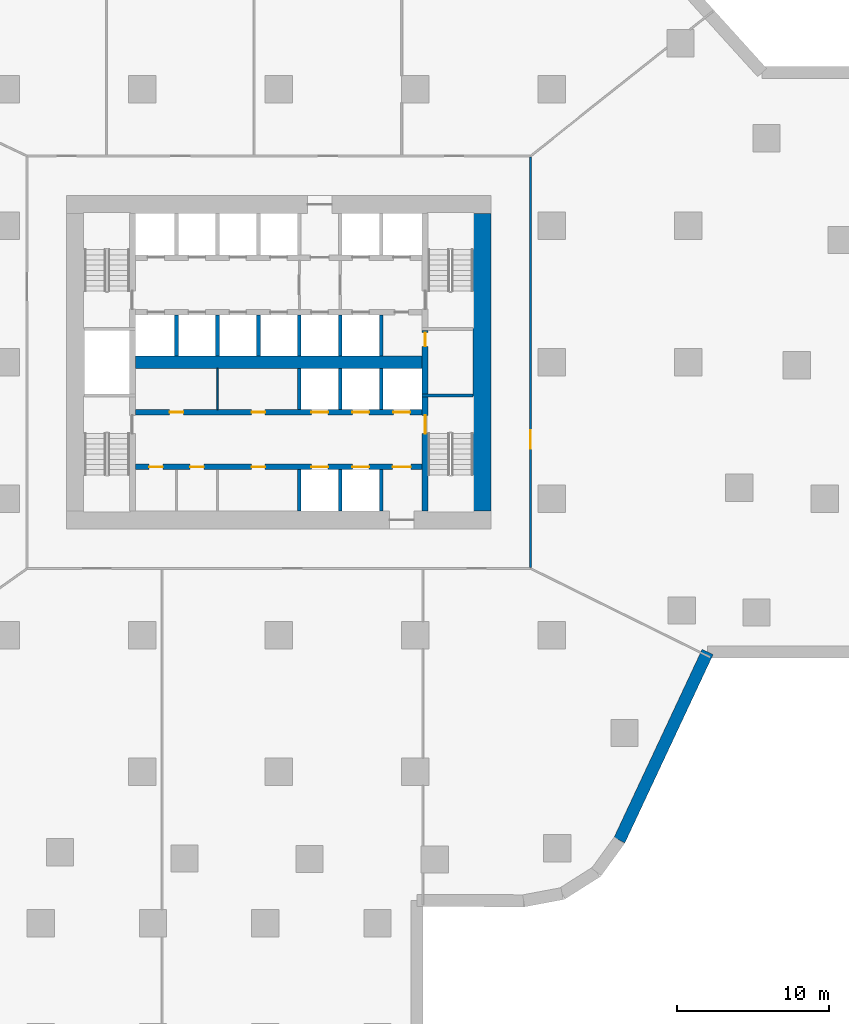
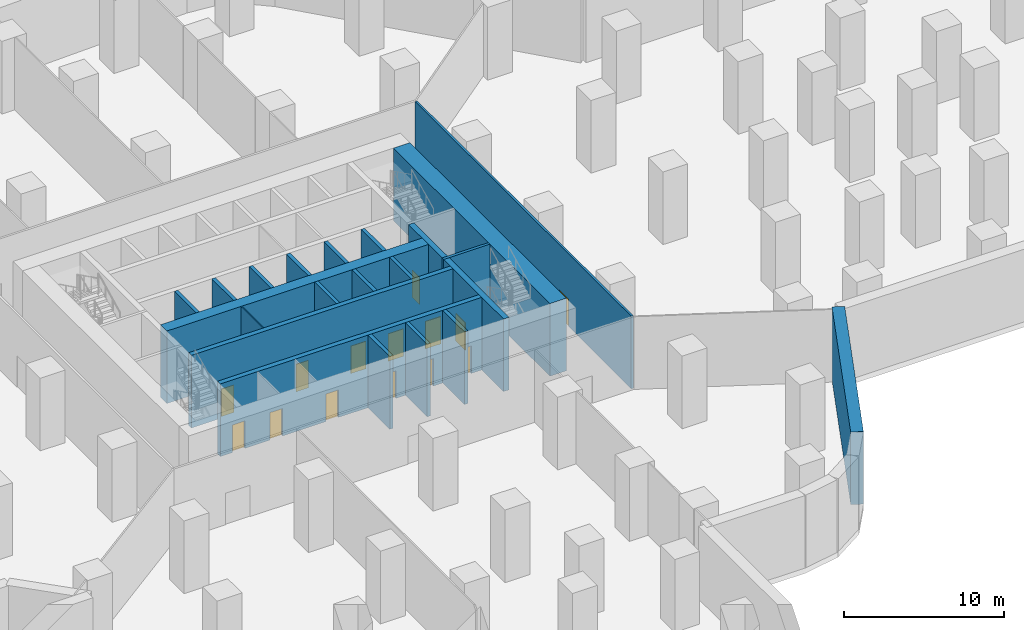
# One storey, part 5 of 11: 22 walls, 14 doors, 14 openings.
"""IFC4 building model written with IfcOpenShell, lengths in metres."""

import ifcopenshell
import ifcopenshell.guid

model = None  # the IFC model being written
_history = None  # IfcOwnerHistory: only IFC2X3 demands one
_inside = {}  # id of a spatial element -> (the spatial element, [elements in it])
_under = {}  # id of a project, library or spatial element -> (it, [spatial elements below it])
_declared = {}  # id of a project -> (the project, [libraries it declares])
_typed = {}  # id of a type object -> (the type object, [elements of that type])
_made_of = {}  # id of a material, layer set ... -> (it, [elements and type objects made of it])


def new_model(schema):
    """Start an empty IFC model of exactly this schema.

    Asked for "IFC4X3", IfcOpenShell would pick the latest addendum, in which some entities
    have other attributes; the version numbers below select the first issue.
    IFC2X3 requires an IfcOwnerHistory on every rooted entity: one is made here for all.
    """
    global model, _history
    if schema == "IFC4X3":
        model = ifcopenshell.file(schema_version=(4, 3, 0, 0))
    else:
        model = ifcopenshell.file(schema=schema)
    _inside.clear()
    _under.clear()
    _declared.clear()
    _typed.clear()
    _made_of.clear()
    _history = None
    if model.schema == "IFC2X3":
        org = make("IfcOrganization", Name="unknown")
        user = make(
            "IfcPersonAndOrganization",
            ThePerson=make("IfcPerson", FamilyName="unknown"),
            TheOrganization=org,
        )
        app = make(
            "IfcApplication",
            ApplicationDeveloper=org,
            Version="unknown",
            ApplicationFullName="unknown",
            ApplicationIdentifier="unknown",
        )
        _history = make(
            "IfcOwnerHistory",
            OwningUser=user,
            OwningApplication=app,
            ChangeAction="ADDED",
            CreationDate=0,
        )
    return model


def make(cls, **values):
    """One entity of the class cls with the attributes given. An attribute that is None is left unset."""
    return model.create_entity(
        cls, **{name: value for name, value in values.items() if value is not None}
    )


def rooted(cls, **values):
    """An entity with a GlobalId (a new one), such as an element, a storey or a relation."""
    return make(cls, GlobalId=ifcopenshell.guid.new(), OwnerHistory=_history, **values)


def si_unit(unit_type, name, prefix=None):
    """IfcSIUnit, for example si_unit("LENGTHUNIT", "METRE", prefix="MILLI")."""
    return make("IfcSIUnit", UnitType=unit_type, Prefix=prefix, Name=name)


def assignment(units):
    """IfcUnitAssignment: the units of a project."""
    return None if units is None else make("IfcUnitAssignment", Units=units)


def point(xyz):
    """IfcCartesianPoint."""
    return None if xyz is None else make("IfcCartesianPoint", Coordinates=xyz)


def direction(xyz):
    """IfcDirection."""
    return None if xyz is None else make("IfcDirection", DirectionRatios=xyz)


def frame(location, z_axis=None, x_axis=None):
    """IfcAxis2Placement3D, a coordinate frame: its origin and axes. An axis left out is left unset."""
    return make(
        "IfcAxis2Placement3D",
        Location=point(location),
        Axis=direction(z_axis),
        RefDirection=direction(x_axis),
    )


def frame_2d(location, x_axis=None):
    """IfcAxis2Placement2D, a coordinate frame in the plane: its origin and x axis."""
    return make(
        "IfcAxis2Placement2D", Location=point(location), RefDirection=direction(x_axis)
    )


def origin():
    """The frame at (0, 0, 0) with its axes left unset."""
    return frame((0.0, 0.0, 0.0))


def place(relative_to, where):
    """IfcLocalPlacement: puts the frame where relative to a parent placement (None: the world)."""
    return make(
        "IfcLocalPlacement", PlacementRelTo=relative_to, RelativePlacement=where
    )


def context(
    kind, dimensions, precision=None, world=None, true_north=None, identifier=None
):
    """IfcGeometricRepresentationContext, for example the 3D "Model" context."""
    return make(
        "IfcGeometricRepresentationContext",
        ContextIdentifier=identifier,
        ContextType=kind,
        CoordinateSpaceDimension=dimensions,
        Precision=precision,
        WorldCoordinateSystem=world,
        TrueNorth=true_north,
    )


def subcontext(parent, identifier, kind, view, scale=None):
    """IfcGeometricRepresentationSubContext, for example "Body" below "Model"."""
    return make(
        "IfcGeometricRepresentationSubContext",
        ContextIdentifier=identifier,
        ContextType=kind,
        ParentContext=parent,
        TargetScale=scale,
        TargetView=view,
    )


def project(units=None, contexts=None):
    """IfcProject with its units and contexts."""
    return rooted(
        "IfcProject",
        Name="project",
        RepresentationContexts=contexts,
        UnitsInContext=assignment(units),
    )


def spatial(cls, under=None, at=None, **own):
    """A site, building, storey or space (cls), placed at a placement, below another one or the project."""
    s = rooted(cls, ObjectPlacement=at, **own)
    if under is not None:
        _under.setdefault(under.id(), (under, []))[1].append(s)
    return s


def profile(cls, at=None, kind="AREA", **sizes):
    """A parametric profile (cls). Its sizes go by their IFC names, for example OverallWidth=200.0."""
    return make(cls, ProfileType=kind, Position=at, **sizes)


def rectangle(**sizes):
    """IfcRectangleProfileDef."""
    return profile("IfcRectangleProfileDef", **sizes)


def extrude(swept, where, along, depth):
    """IfcExtrudedAreaSolid: the profile swept, set in the frame where, extruded along a direction by depth."""
    return make(
        "IfcExtrudedAreaSolid",
        SweptArea=swept,
        Position=where,
        ExtrudedDirection=direction(along),
        Depth=depth,
    )


def shape(context_of_items, identifier, shape_type, items):
    """IfcShapeRepresentation: the items that make up one representation, for example the "Body"."""
    return make(
        "IfcShapeRepresentation",
        ContextOfItems=context_of_items,
        RepresentationIdentifier=identifier,
        RepresentationType=shape_type,
        Items=items,
    )


def material(Name=None, Category=None):
    """IfcMaterial."""
    return make("IfcMaterial", Name=Name, Category=Category)


def layer(
    of_material, thickness, ventilated=None, Name=None, Category=None, Priority=None
):
    """IfcMaterialLayer: one layer of a wall or slab, of a material (None: an air gap)."""
    return make(
        "IfcMaterialLayer",
        Material=of_material,
        LayerThickness=thickness,
        IsVentilated=ventilated,
        Name=Name,
        Category=Category,
        Priority=Priority,
    )


def layer_set(layers, Name=None):
    """IfcMaterialLayerSet."""
    return make("IfcMaterialLayerSet", MaterialLayers=layers, LayerSetName=Name)


def made_of(thing, what):
    """Note that an element or type object is made of a material, layer set ...; save() writes the relation."""
    if what is not None:
        _made_of.setdefault(what.id(), (what, []))[1].append(thing)
    return thing


def type_object(cls, material=None, **own):
    """A type object (cls), such as IfcWallType, which elements share."""
    return made_of(rooted(cls, **own), material)


def element(
    cls,
    number,
    at=None,
    inside=None,
    cuts=None,
    type_object=None,
    material=None,
    context=None,
    identifier="Body",
    shape_type=None,
    held_by="IfcProductDefinitionShape",
    body=None,
    shapes=None,
    **own,
):
    """One element of the class cls, such as IfcWall. Its Tag is "e" and its number.

    at: its placement. inside: the storey or other place that contains it. cuts: it is an
    opening in that element (IfcRelVoidsElement). A single representation is given by context,
    identifier, shape_type and body (its items); several are given by shapes. held_by: the class
    of the entity that holds the representations. save() writes the other relations.
    """
    e = rooted(cls, Tag="e%d" % number, ObjectPlacement=at, **own)
    if body is not None:
        shapes = [shape(context, identifier, shape_type, body)]
    if shapes is not None:
        e.Representation = make(held_by, Representations=shapes)
    if inside is not None:
        _inside.setdefault(inside.id(), (inside, []))[1].append(e)
    if cuts is not None:
        rooted(
            "IfcRelVoidsElement", RelatingBuildingElement=cuts, RelatedOpeningElement=e
        )
    if type_object is not None:
        _typed.setdefault(type_object.id(), (type_object, []))[1].append(e)
    return made_of(e, material)


def fill(opening, filler):
    """IfcRelFillsElement: the door or window that sits in an opening."""
    return rooted(
        "IfcRelFillsElement",
        RelatingOpeningElement=opening,
        RelatedBuildingElement=filler,
    )


def aggregate(whole, parts):
    """IfcRelAggregates: a whole, such as a stair, and the parts it consists of."""
    return rooted("IfcRelAggregates", RelatingObject=whole, RelatedObjects=parts)


def save(model, path):
    """Write the relations noted so far, then the file.

    IfcRelAggregates (storeys below a building ...), IfcRelContainedInSpatialStructure (elements
    in a storey), IfcRelDefinesByType, IfcRelAssociatesMaterial and IfcRelDeclares: one each for
    every whole, place, type object, material and project.
    """
    for whole, parts in _under.values():
        aggregate(whole, parts)
    for where, things in _inside.values():
        rooted(
            "IfcRelContainedInSpatialStructure",
            RelatedElements=things,
            RelatingStructure=where,
        )
    for kind, things in _typed.values():
        rooted("IfcRelDefinesByType", RelatedObjects=things, RelatingType=kind)
    for what, things in _made_of.values():
        rooted("IfcRelAssociatesMaterial", RelatedObjects=things, RelatingMaterial=what)
    for by, libraries in _declared.values():
        rooted("IfcRelDeclares", RelatingContext=by, RelatedDefinitions=libraries)
    model.write(path)


model = new_model("IFC4")

# Units and contexts
model_context = context("Model", 3, precision=1e-05, world=origin(), true_north=direction((0.0, 1.0)))
body_context = subcontext(model_context, "Body", "Model", "MODEL_VIEW")
ifc_project = project(units=[si_unit("LENGTHUNIT", "METRE"), si_unit("AREAUNIT", "SQUARE_METRE"), si_unit("VOLUMEUNIT", "CUBIC_METRE"), si_unit("PLANEANGLEUNIT", "RADIAN"), si_unit("MASSUNIT", "GRAM", prefix="KILO")], contexts=[model_context])

# Site, building, storey
site_placement = place(None, origin())
site = spatial("IfcSite", under=ifc_project, at=site_placement, CompositionType="ELEMENT")
building_placement = place(site_placement, origin())
building = spatial("IfcBuilding", under=site, at=building_placement, Name="Dongbaek Canopy Tower", CompositionType="ELEMENT")
storey_placement = place(building_placement, frame((0.0, 0.0, -6.0)))
storey = spatial("IfcBuildingStorey", under=building, at=storey_placement, Name="B1", CompositionType="ELEMENT", Elevation=-6.0)

# Wall
ifc_material_1 = material(Name="Concrete C60/75", Category="concrete")
ifc_layer_1 = layer(ifc_material_1, 0.800048828125)
ifc_layer_set_1 = layer_set([ifc_layer_1], Name="Core central wall 800 Concrete C60/75")
wall_type_1 = type_object("IfcWallType", Name="Core central wall 800 Concrete C60/75", PredefinedType="SHEAR", material=ifc_layer_set_1)
wall_1_placement = place(storey_placement, frame((-9.449951171875, 0.0, 0.0), z_axis=(0.0, 0.0, 1.0), x_axis=(1.0, 0.0, 0.0)))
element("IfcWall", 1, at=wall_1_placement, inside=storey, type_object=wall_type_1, Name="Core wall", PredefinedType="SHEAR", context=body_context, shape_type="SweptSolid", body=[
    extrude(rectangle(XDim=18.89990234375, YDim=0.800048828125, at=frame_2d((9.449951171875, 0.0))), origin(), (0.0, 0.0, 1.0), 5.550048828125),
])

# Wall, openings, doors
ifc_material_2 = material(Name="Concrete C60/75", Category="concrete")
ifc_layer_2 = layer(ifc_material_2, 0.35009765625)
ifc_layer_set_2 = layer_set([ifc_layer_2], Name="Core lobby wall 350 Concrete C60/75")
wall_type_2 = type_object("IfcWallType", Name="Core lobby wall 350 Concrete C60/75", PredefinedType="SHEAR", material=ifc_layer_set_2)
wall_2_placement = place(storey_placement, frame((-9.449951171875, -3.300048828125, 0.0), z_axis=(0.0, 0.0, 1.0), x_axis=(1.0, 0.0, 0.0)))
wall_2 = element("IfcWall", 2, at=wall_2_placement, inside=storey, type_object=wall_type_2, Name="Core wall", PredefinedType="SHEAR", context=body_context, shape_type="SweptSolid", body=[
    extrude(rectangle(XDim=18.89990234375, YDim=0.35009765625, at=frame_2d((9.449951171875, 0.0))), origin(), (0.0, 0.0, 1.0), 5.550048828125),
])
opening_1_placement = place(wall_2_placement, frame((11.60009765625, 0.0, 0.0)))
opening_1 = element("IfcOpeningElement", 3, at=opening_1_placement, cuts=wall_2, Name="Opening B1-D026", PredefinedType="OPENING", context=body_context, shape_type="SweptSolid", body=[
    extrude(rectangle(XDim=1.10009765625, YDim=2.10009765625, at=frame_2d((0.550048828125, 1.050048828125))), frame((0.0, 0.18505859375, 0.0), z_axis=(0.0, -1.0, 0.0), x_axis=(1.0, 0.0, 0.0)), (0.0, 0.0, 1.0), 0.3701171875),
])
opening_2_placement = place(wall_2_placement, frame((14.300048828125, 0.0, 0.0)))
opening_2 = element("IfcOpeningElement", 4, at=opening_2_placement, cuts=wall_2, Name="Opening B1-D027", PredefinedType="OPENING", context=body_context, shape_type="SweptSolid", body=[
    extrude(rectangle(XDim=1.10009765625, YDim=2.10009765625, at=frame_2d((0.550048828125, 1.050048828125))), frame((0.0, 0.18505859375, 0.0), z_axis=(0.0, -1.0, 0.0), x_axis=(1.0, 0.0, 0.0)), (0.0, 0.0, 1.0), 0.3701171875),
])
opening_3_placement = place(wall_2_placement, frame((17.0, 0.0, 0.0)))
opening_3 = element("IfcOpeningElement", 5, at=opening_3_placement, cuts=wall_2, Name="Opening B1-D028", PredefinedType="OPENING", context=body_context, shape_type="SweptSolid", body=[
    extrude(rectangle(XDim=1.10009765625, YDim=2.10009765625, at=frame_2d((0.550048828125, 1.050048828125))), frame((0.0, 0.18505859375, 0.0), z_axis=(0.0, -1.0, 0.0), x_axis=(1.0, 0.0, 0.0)), (0.0, 0.0, 1.0), 0.3701171875),
])
opening_4_placement = place(wall_2_placement, frame((2.25, 0.0, 0.0)))
opening_4 = element("IfcOpeningElement", 6, at=opening_4_placement, cuts=wall_2, Name="Opening B1-D033", PredefinedType="OPENING", context=body_context, shape_type="SweptSolid", body=[
    extrude(rectangle(XDim=0.89990234375, YDim=2.10009765625, at=frame_2d((0.449951171875, 1.050048828125))), frame((0.0, 0.18505859375, 0.0), z_axis=(0.0, -1.0, 0.0), x_axis=(1.0, 0.0, 0.0)), (0.0, 0.0, 1.0), 0.3701171875),
])
opening_5_placement = place(wall_2_placement, frame((7.64990234375, 0.0, 0.0)))
opening_5 = element("IfcOpeningElement", 7, at=opening_5_placement, cuts=wall_2, Name="Opening B1-D034", PredefinedType="OPENING", context=body_context, shape_type="SweptSolid", body=[
    extrude(rectangle(XDim=0.89990234375, YDim=2.10009765625, at=frame_2d((0.449951171875, 1.050048828125))), frame((0.0, 0.18505859375, 0.0), z_axis=(0.0, -1.0, 0.0), x_axis=(1.0, 0.0, 0.0)), (0.0, 0.0, 1.0), 0.3701171875),
])
ifc_material_3 = material(Name="Steel", Category="steel")
door_type_1 = type_object("IfcDoorType", Name="Core room door 900 x 2100", OperationType="SINGLE_SWING_LEFT", PredefinedType="DOOR", material=ifc_material_3)
door_1_placement = place(opening_4_placement, origin())
door_1 = element("IfcDoor", 8, at=door_1_placement, inside=storey, type_object=door_type_1, Name="Door B1-D033", OperationType="SINGLE_SWING_RIGHT", OverallHeight=2.10009765625, OverallWidth=0.89990234375, PredefinedType="DOOR", context=body_context, shape_type="SweptSolid", body=[
    extrude(rectangle(XDim=0.89990234375, YDim=2.10009765625, at=frame_2d((0.449951171875, 1.050048828125))), frame((0.0, 0.02490234375, 0.0), z_axis=(0.0, -1.0, 0.0), x_axis=(1.0, 0.0, 0.0)), (0.0, 0.0, 1.0), 0.050048828125),
])
fill(opening_4, door_1)
door_2_placement = place(opening_5_placement, origin())
door_2 = element("IfcDoor", 9, at=door_2_placement, inside=storey, type_object=door_type_1, Name="Door B1-D034", OperationType="SINGLE_SWING_LEFT", OverallHeight=2.10009765625, OverallWidth=0.89990234375, PredefinedType="DOOR", context=body_context, shape_type="SweptSolid", body=[
    extrude(rectangle(XDim=0.89990234375, YDim=2.10009765625, at=frame_2d((0.449951171875, 1.050048828125))), frame((0.0, 0.02490234375, 0.0), z_axis=(0.0, -1.0, 0.0), x_axis=(1.0, 0.0, 0.0)), (0.0, 0.0, 1.0), 0.050048828125),
])
fill(opening_5, door_2)
ifc_material_4 = material(Name="Stainless steel", Category="steel")
door_type_2 = type_object("IfcDoorType", Name="Lift landing door 1100 x 2100", OperationType="DOUBLE_DOOR_SLIDING", PredefinedType="DOOR", material=ifc_material_4)
door_3_placement = place(opening_1_placement, origin())
door_3 = element("IfcDoor", 10, at=door_3_placement, inside=storey, type_object=door_type_2, Name="Landing door SH1", OperationType="DOUBLE_DOOR_SLIDING", OverallHeight=2.10009765625, OverallWidth=1.10009765625, PredefinedType="DOOR", context=body_context, shape_type="SweptSolid", body=[
    extrude(rectangle(XDim=1.10009765625, YDim=2.10009765625, at=frame_2d((0.550048828125, 1.050048828125))), frame((0.0, 0.02490234375, 0.0), z_axis=(0.0, -1.0, 0.0), x_axis=(1.0, 0.0, 0.0)), (0.0, 0.0, 1.0), 0.050048828125),
])
fill(opening_1, door_3)
door_4_placement = place(opening_2_placement, origin())
door_4 = element("IfcDoor", 11, at=door_4_placement, inside=storey, type_object=door_type_2, Name="Landing door SH2", OperationType="DOUBLE_DOOR_SLIDING", OverallHeight=2.10009765625, OverallWidth=1.10009765625, PredefinedType="DOOR", context=body_context, shape_type="SweptSolid", body=[
    extrude(rectangle(XDim=1.10009765625, YDim=2.10009765625, at=frame_2d((0.550048828125, 1.050048828125))), frame((0.0, 0.02490234375, 0.0), z_axis=(0.0, -1.0, 0.0), x_axis=(1.0, 0.0, 0.0)), (0.0, 0.0, 1.0), 0.050048828125),
])
fill(opening_2, door_4)
door_5_placement = place(opening_3_placement, origin())
door_5 = element("IfcDoor", 12, at=door_5_placement, inside=storey, type_object=door_type_2, Name="Landing door SV2", OperationType="DOUBLE_DOOR_SLIDING", OverallHeight=2.10009765625, OverallWidth=1.10009765625, PredefinedType="DOOR", context=body_context, shape_type="SweptSolid", body=[
    extrude(rectangle(XDim=1.10009765625, YDim=2.10009765625, at=frame_2d((0.550048828125, 1.050048828125))), frame((0.0, 0.02490234375, 0.0), z_axis=(0.0, -1.0, 0.0), x_axis=(1.0, 0.0, 0.0)), (0.0, 0.0, 1.0), 0.050048828125),
])
fill(opening_3, door_5)

wall_3_placement = place(storey_placement, frame((9.449951171875, -6.89990234375, 0.0), z_axis=(0.0, 0.0, 1.0), x_axis=(-1.0, 0.0, 0.0)))
wall_3 = element("IfcWall", 13, at=wall_3_placement, inside=storey, type_object=wall_type_2, Name="Core wall", PredefinedType="SHEAR", context=body_context, shape_type="SweptSolid", body=[
    extrude(rectangle(XDim=18.89990234375, YDim=0.35009765625, at=frame_2d((9.449951171875, 0.0))), origin(), (0.0, 0.0, 1.0), 5.550048828125),
])
opening_6_placement = place(wall_3_placement, frame((6.199951171875, 0.0, 0.0)))
opening_6 = element("IfcOpeningElement", 14, at=opening_6_placement, cuts=wall_3, Name="Opening B1-D029", PredefinedType="OPENING", context=body_context, shape_type="SweptSolid", body=[
    extrude(rectangle(XDim=1.10009765625, YDim=2.10009765625, at=frame_2d((0.550048828125, 1.050048828125))), frame((0.0, 0.18505859375, 0.0), z_axis=(0.0, -1.0, 0.0), x_axis=(1.0, 0.0, 0.0)), (0.0, 0.0, 1.0), 0.3701171875),
])
opening_7_placement = place(wall_3_placement, frame((3.5, 0.0, 0.0)))
opening_7 = element("IfcOpeningElement", 15, at=opening_7_placement, cuts=wall_3, Name="Opening B1-D030", PredefinedType="OPENING", context=body_context, shape_type="SweptSolid", body=[
    extrude(rectangle(XDim=1.10009765625, YDim=2.10009765625, at=frame_2d((0.550048828125, 1.050048828125))), frame((0.0, 0.18505859375, 0.0), z_axis=(0.0, -1.0, 0.0), x_axis=(1.0, 0.0, 0.0)), (0.0, 0.0, 1.0), 0.3701171875),
])
opening_8_placement = place(wall_3_placement, frame((0.75, 0.0, 0.0)))
opening_8 = element("IfcOpeningElement", 16, at=opening_8_placement, cuts=wall_3, Name="Opening B1-D032", PredefinedType="OPENING", context=body_context, shape_type="SweptSolid", body=[
    extrude(rectangle(XDim=1.199951171875, YDim=2.10009765625, at=frame_2d((0.60009765625, 1.050048828125))), frame((0.0, 0.18505859375, 0.0), z_axis=(0.0, -1.0, 0.0), x_axis=(1.0, 0.0, 0.0)), (0.0, 0.0, 1.0), 0.3701171875),
])
opening_9_placement = place(wall_3_placement, frame((17.10009765625, 0.0, 0.0)))
opening_9 = element("IfcOpeningElement", 17, at=opening_9_placement, cuts=wall_3, Name="Opening B1-D035", PredefinedType="OPENING", context=body_context, shape_type="SweptSolid", body=[
    extrude(rectangle(XDim=0.89990234375, YDim=2.10009765625, at=frame_2d((0.449951171875, 1.050048828125))), frame((0.0, 0.18505859375, 0.0), z_axis=(0.0, -1.0, 0.0), x_axis=(1.0, 0.0, 0.0)), (0.0, 0.0, 1.0), 0.3701171875),
])
opening_10_placement = place(wall_3_placement, frame((14.39990234375, 0.0, 0.0)))
opening_10 = element("IfcOpeningElement", 18, at=opening_10_placement, cuts=wall_3, Name="Opening B1-D036", PredefinedType="OPENING", context=body_context, shape_type="SweptSolid", body=[
    extrude(rectangle(XDim=0.89990234375, YDim=2.10009765625, at=frame_2d((0.449951171875, 1.050048828125))), frame((0.0, 0.18505859375, 0.0), z_axis=(0.0, -1.0, 0.0), x_axis=(1.0, 0.0, 0.0)), (0.0, 0.0, 1.0), 0.3701171875),
])
opening_11_placement = place(wall_3_placement, frame((10.35009765625, 0.0, 0.0)))
opening_11 = element("IfcOpeningElement", 19, at=opening_11_placement, cuts=wall_3, Name="Opening B1-D037", PredefinedType="OPENING", context=body_context, shape_type="SweptSolid", body=[
    extrude(rectangle(XDim=0.89990234375, YDim=2.10009765625, at=frame_2d((0.449951171875, 1.050048828125))), frame((0.0, 0.18505859375, 0.0), z_axis=(0.0, -1.0, 0.0), x_axis=(1.0, 0.0, 0.0)), (0.0, 0.0, 1.0), 0.3701171875),
])
door_6_placement = place(opening_9_placement, origin())
door_6 = element("IfcDoor", 20, at=door_6_placement, inside=storey, type_object=door_type_1, Name="Door B1-D035", OperationType="SINGLE_SWING_RIGHT", OverallHeight=2.10009765625, OverallWidth=0.89990234375, PredefinedType="DOOR", context=body_context, shape_type="SweptSolid", body=[
    extrude(rectangle(XDim=0.89990234375, YDim=2.10009765625, at=frame_2d((0.449951171875, 1.050048828125))), frame((0.0, 0.02490234375, 0.0), z_axis=(0.0, -1.0, 0.0), x_axis=(1.0, 0.0, 0.0)), (0.0, 0.0, 1.0), 0.050048828125),
])
fill(opening_9, door_6)
door_7_placement = place(opening_10_placement, origin())
door_7 = element("IfcDoor", 21, at=door_7_placement, inside=storey, type_object=door_type_1, Name="Door B1-D036", OperationType="SINGLE_SWING_LEFT", OverallHeight=2.10009765625, OverallWidth=0.89990234375, PredefinedType="DOOR", context=body_context, shape_type="SweptSolid", body=[
    extrude(rectangle(XDim=0.89990234375, YDim=2.10009765625, at=frame_2d((0.449951171875, 1.050048828125))), frame((0.0, 0.02490234375, 0.0), z_axis=(0.0, -1.0, 0.0), x_axis=(1.0, 0.0, 0.0)), (0.0, 0.0, 1.0), 0.050048828125),
])
fill(opening_10, door_7)
door_8_placement = place(opening_11_placement, origin())
door_8 = element("IfcDoor", 22, at=door_8_placement, inside=storey, type_object=door_type_1, Name="Door B1-D037", OperationType="SINGLE_SWING_RIGHT", OverallHeight=2.10009765625, OverallWidth=0.89990234375, PredefinedType="DOOR", context=body_context, shape_type="SweptSolid", body=[
    extrude(rectangle(XDim=0.89990234375, YDim=2.10009765625, at=frame_2d((0.449951171875, 1.050048828125))), frame((0.0, 0.02490234375, 0.0), z_axis=(0.0, -1.0, 0.0), x_axis=(1.0, 0.0, 0.0)), (0.0, 0.0, 1.0), 0.050048828125),
])
fill(opening_11, door_8)
ifc_material_5 = material(Name="Steel", Category="steel")
door_type_3 = type_object("IfcDoorType", Name="Fire lobby door 1200 x 2100", OperationType="SINGLE_SWING_LEFT", PredefinedType="DOOR", material=ifc_material_5)
door_9_placement = place(opening_8_placement, origin())
door_9 = element("IfcDoor", 23, at=door_9_placement, inside=storey, type_object=door_type_3, Name="Door B1-D032", OperationType="SINGLE_SWING_LEFT", OverallHeight=2.10009765625, OverallWidth=1.199951171875, PredefinedType="DOOR", context=body_context, shape_type="SweptSolid", body=[
    extrude(rectangle(XDim=1.199951171875, YDim=2.10009765625, at=frame_2d((0.60009765625, 1.050048828125))), frame((0.0, 0.02490234375, 0.0), z_axis=(0.0, -1.0, 0.0), x_axis=(1.0, 0.0, 0.0)), (0.0, 0.0, 1.0), 0.050048828125),
])
fill(opening_8, door_9)
door_10_placement = place(opening_6_placement, origin())
door_10 = element("IfcDoor", 24, at=door_10_placement, inside=storey, type_object=door_type_2, Name="Landing door SH3", OperationType="DOUBLE_DOOR_SLIDING", OverallHeight=2.10009765625, OverallWidth=1.10009765625, PredefinedType="DOOR", context=body_context, shape_type="SweptSolid", body=[
    extrude(rectangle(XDim=1.10009765625, YDim=2.10009765625, at=frame_2d((0.550048828125, 1.050048828125))), frame((0.0, 0.02490234375, 0.0), z_axis=(0.0, -1.0, 0.0), x_axis=(1.0, 0.0, 0.0)), (0.0, 0.0, 1.0), 0.050048828125),
])
fill(opening_6, door_10)
door_11_placement = place(opening_7_placement, origin())
door_11 = element("IfcDoor", 25, at=door_11_placement, inside=storey, type_object=door_type_2, Name="Landing door SH4", OperationType="DOUBLE_DOOR_SLIDING", OverallHeight=2.10009765625, OverallWidth=1.10009765625, PredefinedType="DOOR", context=body_context, shape_type="SweptSolid", body=[
    extrude(rectangle(XDim=1.10009765625, YDim=2.10009765625, at=frame_2d((0.550048828125, 1.050048828125))), frame((0.0, 0.02490234375, 0.0), z_axis=(0.0, -1.0, 0.0), x_axis=(1.0, 0.0, 0.0)), (0.0, 0.0, 1.0), 0.050048828125),
])
fill(opening_7, door_11)

# Wall
ifc_material_6 = material(Name="Concrete C60/75", Category="concrete")
ifc_layer_3 = layer(ifc_material_6, 1.199951171875)
ifc_layer_set_3 = layer_set([ifc_layer_3], Name="Core outer wall 1200 Concrete C60/75")
wall_type_3 = type_object("IfcWallType", Name="Core outer wall 1200 Concrete C60/75", PredefinedType="SHEAR", material=ifc_layer_set_3)
wall_4_placement = place(storey_placement, frame((13.39990234375, 9.800048828125, 0.0), z_axis=(0.0, 0.0, 1.0), x_axis=(0.0, -1.0, 0.0)))
element("IfcWall", 26, at=wall_4_placement, inside=storey, type_object=wall_type_3, Name="Core wall", PredefinedType="SHEAR", context=body_context, shape_type="SweptSolid", body=[
    extrude(rectangle(XDim=19.60009765625, YDim=1.199951171875, at=frame_2d((9.800048828125, 0.0))), origin(), (0.0, 0.0, 1.0), 5.550048828125),
])

# Wall, opening, door
ifc_material_7 = material(Name="Gypsum board partition, steel stud, 2 x 15 mm fire board", Category="steel")
ifc_layer_4 = layer(ifc_material_7, 0.14990234375)
ifc_layer_set_4 = layer_set([ifc_layer_4], Name="Fire-rated partition 150 gypsum board")
wall_type_4 = type_object("IfcWallType", Name="Fire-rated partition 150 gypsum board", PredefinedType="PARTITIONING", material=ifc_layer_set_4)
wall_5_placement = place(storey_placement, frame((16.60009765625, 13.52490234375, 0.0), z_axis=(0.0, 0.0, 1.0), x_axis=(0.0, -1.0, 0.0)))
wall_5 = element("IfcWall", 27, at=wall_5_placement, inside=storey, type_object=wall_type_4, Name="Corridor partition", PredefinedType="PARTITIONING", context=body_context, shape_type="SweptSolid", body=[
    extrude(rectangle(XDim=27.0498046875, YDim=0.14990234375, at=frame_2d((13.52490234375, 0.0))), origin(), (0.0, 0.0, 1.0), 5.550048828125),
])
opening_12_placement = place(wall_5_placement, frame((18.02490234375, 0.0, 0.0)))
opening_12 = element("IfcOpeningElement", 28, at=opening_12_placement, cuts=wall_5, Name="Opening B1-D005", PredefinedType="OPENING", context=body_context, shape_type="SweptSolid", body=[
    extrude(rectangle(XDim=1.199951171875, YDim=2.10009765625, at=frame_2d((0.60009765625, 1.050048828125))), frame((0.0, 0.0849609375, 0.0), z_axis=(0.0, -1.0, 0.0), x_axis=(1.0, 0.0, 0.0)), (0.0, 0.0, 1.0), 0.169921875),
])
ifc_material_8 = material(Name="Timber veneered door leaf", Category="wood")
door_type_4 = type_object("IfcDoorType", Name="Room door 1200 x 2100", OperationType="SINGLE_SWING_LEFT", PredefinedType="DOOR", material=ifc_material_8)
door_12_placement = place(opening_12_placement, origin())
door_12 = element("IfcDoor", 29, at=door_12_placement, inside=storey, type_object=door_type_4, Name="Door B1-D005", OperationType="SINGLE_SWING_RIGHT", OverallHeight=2.10009765625, OverallWidth=1.199951171875, PredefinedType="DOOR", context=body_context, shape_type="SweptSolid", body=[
    extrude(rectangle(XDim=1.199951171875, YDim=2.10009765625, at=frame_2d((0.60009765625, 1.050048828125))), frame((0.0, 0.02490234375, 0.0), z_axis=(0.0, -1.0, 0.0), x_axis=(1.0, 0.0, 0.0)), (0.0, 0.0, 1.0), 0.050048828125),
])
fill(opening_12, door_12)

# Walls
ifc_material_9 = material(Name="Concrete C40/50", Category="concrete")
ifc_layer_5 = layer(ifc_material_9, 0.25)
ifc_layer_set_5 = layer_set([ifc_layer_5], Name="Lift shaft wall 250 Concrete C40/50")
wall_type_5 = type_object("IfcWallType", Name="Lift shaft wall 250 Concrete C40/50", PredefinedType="SOLIDWALL", material=ifc_layer_set_5)
for number, where, z_axis, x_axis, name in (
    (30, (6.75, -9.800048828125, 0.0), (0.0, 0.0, 1.0), (0.0, 1.0, 0.0), "Lift shaft wall"),
    (31, (6.75, -3.125, 0.0), (0.0, 0.0, 1.0), (0.0, 1.0, 0.0), "Lift shaft wall"),
    (32, (6.75, 0.39990234375, 0.0), (0.0, 0.0, 1.0), (0.0, 1.0, 0.0), "Lift shaft wall"),
    (33, (4.050048828125, -9.800048828125, 0.0), (0.0, 0.0, 1.0), (0.0, 1.0, 0.0), "Lift shaft wall"),
    (34, (4.050048828125, -3.125, 0.0), (0.0, 0.0, 1.0), (0.0, 1.0, 0.0), "Lift shaft wall"),
    (35, (4.050048828125, 0.39990234375, 0.0), (0.0, 0.0, 1.0), (0.0, 1.0, 0.0), "Lift shaft wall"),
    (36, (1.35009765625, -9.800048828125, 0.0), (0.0, 0.0, 1.0), (0.0, 1.0, 0.0), "Lift shaft wall"),
    (37, (1.35009765625, -3.125, 0.0), (0.0, 0.0, 1.0), (0.0, 1.0, 0.0), "Lift shaft wall"),
    (38, (1.35009765625, 0.39990234375, 0.0), (0.0, 0.0, 1.0), (0.0, 1.0, 0.0), "Lift shaft wall"),
    (39, (-1.35009765625, 0.39990234375, 0.0), (0.0, 0.0, 1.0), (0.0, 1.0, 0.0), "Lift shaft wall"),
    (40, (-4.050048828125, 0.39990234375, 0.0), (0.0, 0.0, 1.0), (0.0, 1.0, 0.0), "Lift shaft wall"),
    (41, (-6.75, 0.39990234375, 0.0), (0.0, 0.0, 1.0), (0.0, 1.0, 0.0), "Lift shaft wall"),
):
    element("IfcWall", number, at=place(storey_placement, frame(where, z_axis=z_axis, x_axis=x_axis)), inside=storey, type_object=wall_type_5, Name=name, PredefinedType="SOLIDWALL", context=body_context, shape_type="SweptSolid", body=[
        extrude(rectangle(XDim=2.72509765625, YDim=0.25, at=frame_2d((1.362548828125, 0.0))), origin(), (0.0, 0.0, 1.0), 5.550048828125),
    ])
ifc_material_10 = material(Name="Gypsum board partition, steel stud, 2 x 12.5 mm board", Category="steel")
ifc_layer_6 = layer(ifc_material_10, 0.10009765625)
ifc_layer_set_6 = layer_set([ifc_layer_6], Name="Partition 100 gypsum board")
wall_type_6 = type_object("IfcWallType", Name="Partition 100 gypsum board", PredefinedType="PARTITIONING", material=ifc_layer_set_6)
wall_6_placement = place(storey_placement, frame((-4.050048828125, -3.125, 0.0), z_axis=(0.0, 0.0, 1.0), x_axis=(0.0, 1.0, 0.0)))
element("IfcWall", 42, at=wall_6_placement, inside=storey, type_object=wall_type_6, Name="Core partition", PredefinedType="PARTITIONING", context=body_context, shape_type="SweptSolid", body=[
    extrude(rectangle(XDim=2.72509765625, YDim=0.10009765625, at=frame_2d((1.362548828125, 0.0))), origin(), (0.0, 0.0, 1.0), 5.550048828125),
])
ifc_material_11 = material(Name="Concrete C40", Category="concrete")
ifc_layer_7 = layer(ifc_material_11, 0.800048828125)
ifc_layer_set_7 = layer_set([ifc_layer_7], Name="RC RETAINING WALL 800 Concrete C40")
wall_type_7 = type_object("IfcWallType", Name="RC RETAINING WALL 800 Concrete C40", PredefinedType="SHEAR", material=ifc_layer_set_7)
wall_7_placement = place(storey_placement, frame((28.275634765625, -19.10009765625, 0.0), z_axis=(0.0, 0.0, 1.0), x_axis=(-0.42412057434, -0.905605730118, 0.0)))
element("IfcWall", 43, at=wall_7_placement, inside=storey, type_object=wall_type_7, Name="RWALL:B1:19", PredefinedType="SHEAR", context=body_context, shape_type="SweptSolid", body=[
    extrude(rectangle(XDim=13.716796875, YDim=0.800048828125, at=frame_2d((6.8583984375, 0.0))), origin(), (0.0, 0.0, 1.0), 5.550048828125),
])
ifc_material_12 = material(Name="Concrete C60/75", Category="concrete")
ifc_layer_8 = layer(ifc_material_12, 0.199951171875)
ifc_layer_set_8 = layer_set([ifc_layer_8], Name="Riser wall 200 Concrete C60/75")
wall_type_8 = type_object("IfcWallType", Name="Riser wall 200 Concrete C60/75", PredefinedType="SHEAR", material=ifc_layer_set_8)
wall_8_placement = place(storey_placement, frame((9.449951171875, -2.199951171875, 0.0), z_axis=(0.0, 0.0, 1.0), x_axis=(1.0, 0.0, 0.0)))
element("IfcWall", 44, at=wall_8_placement, inside=storey, type_object=wall_type_8, Name="Riser wall", PredefinedType="SHEAR", context=body_context, shape_type="SweptSolid", body=[
    extrude(rectangle(XDim=3.35009765625, YDim=0.199951171875, at=frame_2d((1.675048828125, 0.0))), origin(), (0.0, 0.0, 1.0), 5.550048828125),
])

# Wall, opening, door
ifc_material_13 = material(Name="Concrete C60/75", Category="concrete")
ifc_layer_9 = layer(ifc_material_13, 0.39990234375)
ifc_layer_set_9 = layer_set([ifc_layer_9], Name="Stair wall 400 Concrete C60/75")
wall_type_9 = type_object("IfcWallType", Name="Stair wall 400 Concrete C60/75", PredefinedType="SHEAR", material=ifc_layer_set_9)
wall_9_placement = place(storey_placement, frame((9.64990234375, -2.300048828125, 0.0), z_axis=(0.0, 0.0, 1.0), x_axis=(0.0, -1.0, 0.0)))
wall_9 = element("IfcWall", 45, at=wall_9_placement, inside=storey, type_object=wall_type_9, Name="Stair wall", PredefinedType="SHEAR", context=body_context, shape_type="SweptSolid", body=[
    extrude(rectangle(XDim=7.5, YDim=0.39990234375, at=frame_2d((3.75, 0.0))), origin(), (0.0, 0.0, 1.0), 5.550048828125),
])
opening_13_placement = place(wall_9_placement, frame((1.199951171875, 0.0, 0.0)))
opening_13 = element("IfcOpeningElement", 46, at=opening_13_placement, cuts=wall_9, Name="Opening B1-D040", PredefinedType="OPENING", context=body_context, shape_type="SweptSolid", body=[
    extrude(rectangle(XDim=1.199951171875, YDim=2.10009765625, at=frame_2d((0.60009765625, 1.050048828125))), frame((0.0, 0.2099609375, 0.0), z_axis=(0.0, -1.0, 0.0), x_axis=(1.0, 0.0, 0.0)), (0.0, 0.0, 1.0), 0.419921875),
])
ifc_material_14 = material(Name="Steel", Category="steel")
door_type_5 = type_object("IfcDoorType", Name="Stair door 1200 x 2100", OperationType="SINGLE_SWING_LEFT", PredefinedType="DOOR", material=ifc_material_14)
door_13_placement = place(opening_13_placement, origin())
door_13 = element("IfcDoor", 47, at=door_13_placement, inside=storey, type_object=door_type_5, Name="Stair B door", OperationType="SINGLE_SWING_RIGHT", OverallHeight=2.10009765625, OverallWidth=1.199951171875, PredefinedType="DOOR", context=body_context, shape_type="SweptSolid", body=[
    extrude(rectangle(XDim=1.199951171875, YDim=2.10009765625, at=frame_2d((0.60009765625, 1.050048828125))), frame((0.0, 0.02490234375, 0.0), z_axis=(0.0, -1.0, 0.0), x_axis=(1.0, 0.0, 0.0)), (0.0, 0.0, 1.0), 0.050048828125),
])
fill(opening_13, door_13)

wall_10_placement = place(storey_placement, frame((9.64990234375, 2.10009765625, 0.0), z_axis=(0.0, 0.0, 1.0), x_axis=(0.0, -1.0, 0.0)))
wall_10 = element("IfcWall", 48, at=wall_10_placement, inside=storey, type_object=wall_type_9, Name="Stair wall", PredefinedType="SHEAR", context=body_context, shape_type="SweptSolid", body=[
    extrude(rectangle(XDim=4.2001953125, YDim=0.39990234375, at=frame_2d((2.10009765625, 0.0))), origin(), (0.0, 0.0, 1.0), 5.550048828125),
])
opening_14_placement = place(wall_10_placement, frame((0.14990234375, 0.0, 0.0)))
opening_14 = element("IfcOpeningElement", 49, at=opening_14_placement, cuts=wall_10, Name="Opening B1-D010", PredefinedType="OPENING", context=body_context, shape_type="SweptSolid", body=[
    extrude(rectangle(XDim=0.89990234375, YDim=2.10009765625, at=frame_2d((0.449951171875, 1.050048828125))), frame((0.0, 0.2099609375, 0.0), z_axis=(0.0, -1.0, 0.0), x_axis=(1.0, 0.0, 0.0)), (0.0, 0.0, 1.0), 0.419921875),
])
door_14_placement = place(opening_14_placement, origin())
door_14 = element("IfcDoor", 50, at=door_14_placement, inside=storey, type_object=door_type_1, Name="Door B1-D010", OperationType="SINGLE_SWING_RIGHT", OverallHeight=2.10009765625, OverallWidth=0.89990234375, PredefinedType="DOOR", context=body_context, shape_type="SweptSolid", body=[
    extrude(rectangle(XDim=0.89990234375, YDim=2.10009765625, at=frame_2d((0.449951171875, 1.050048828125))), frame((0.0, 0.02490234375, 0.0), z_axis=(0.0, -1.0, 0.0), x_axis=(1.0, 0.0, 0.0)), (0.0, 0.0, 1.0), 0.050048828125),
])
fill(opening_14, door_14)

save(model, "model.ifc")
